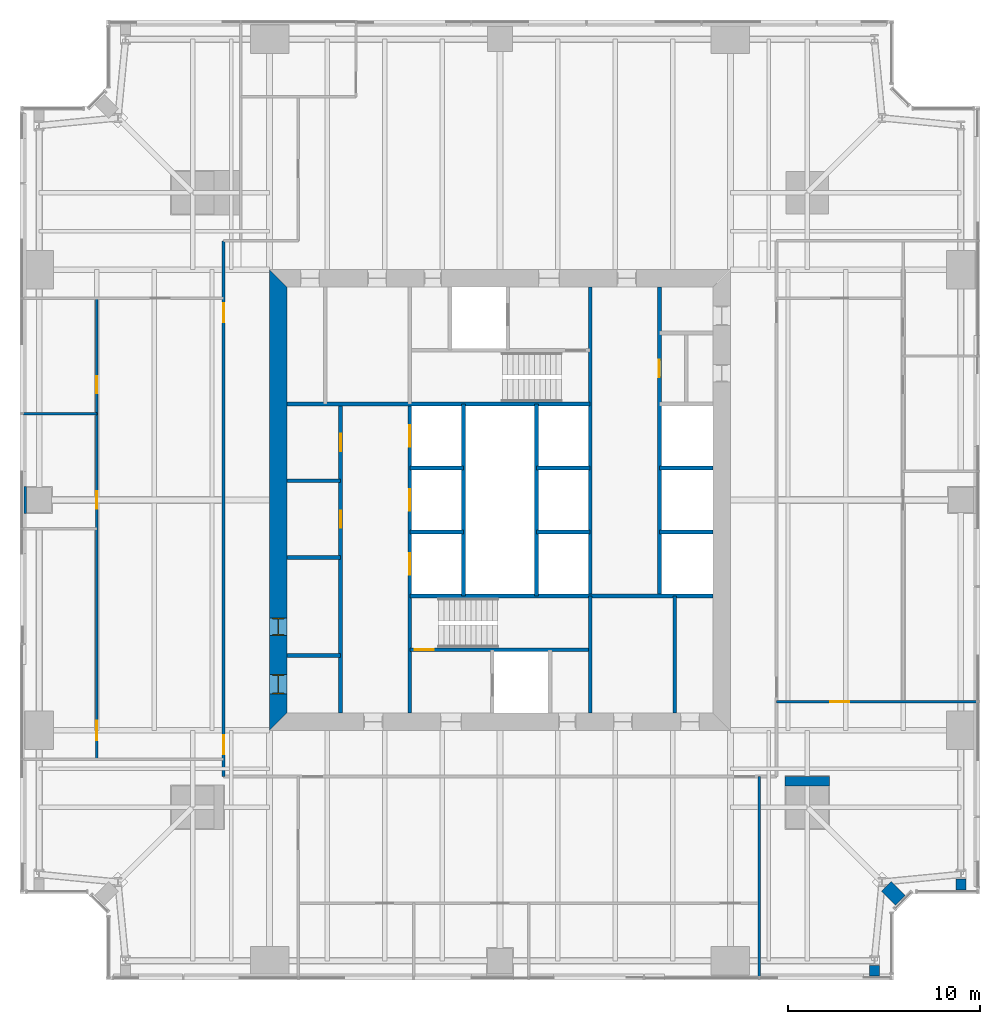
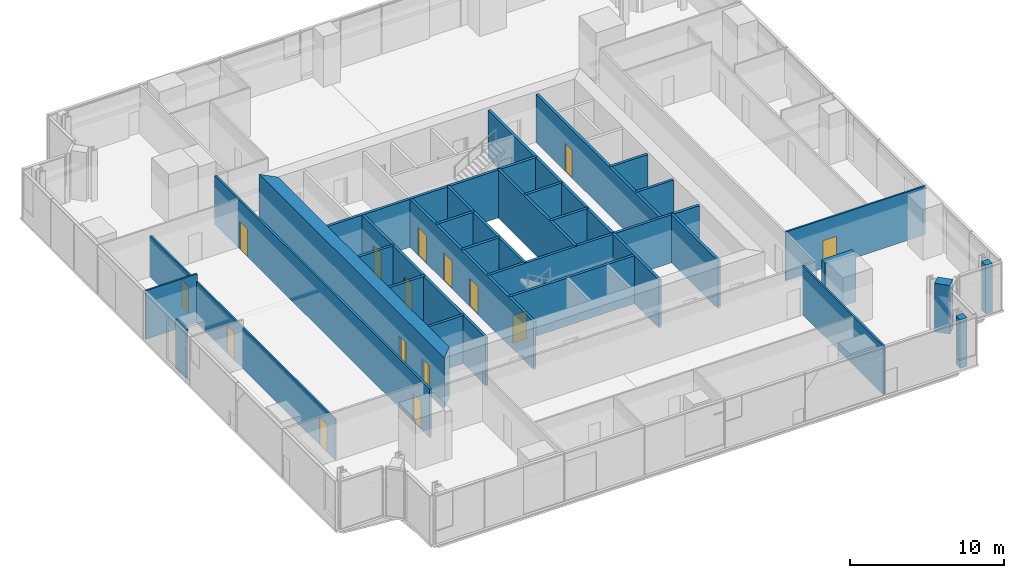
# One storey, part 10 of 14: 31 walls, 15 doors, 15 openings.
"""IFC4 building model written with IfcOpenShell, lengths in metres."""

from ifc_helpers import new_model, si_unit, direction, frame, frame_2d, origin, place, context, subcontext, project, spatial, polyline, rectangle, outline, extrude, material, layer, layer_set, type_object, element, fill, save


model = new_model("IFC4")

# Units and contexts
model_context = context("Model", 3, precision=1e-05, world=origin(), true_north=direction((0.0, 1.0)))
body_context = subcontext(model_context, "Body", "Model", "MODEL_VIEW")
ifc_project = project(units=[si_unit("LENGTHUNIT", "METRE"), si_unit("AREAUNIT", "SQUARE_METRE"), si_unit("VOLUMEUNIT", "CUBIC_METRE"), si_unit("PLANEANGLEUNIT", "RADIAN"), si_unit("MASSUNIT", "GRAM", prefix="KILO")], contexts=[model_context])

# Site, building, storey
site_placement = place(None, origin())
site = spatial("IfcSite", under=ifc_project, at=site_placement, CompositionType="ELEMENT")
building_placement = place(site_placement, origin())
building = spatial("IfcBuilding", under=site, at=building_placement, Name="Fenwick Lantern Interchange", CompositionType="ELEMENT")
storey_placement = place(building_placement, frame((0.0, 0.0, 150.39990234375)))
storey = spatial("IfcBuildingStorey", under=building, at=storey_placement, Name="L35", CompositionType="ELEMENT", Elevation=150.39990234375)

# Walls
ifc_material_1 = material(Name="Fire-rated gypsum board encasement on steel studs, 2 hour", Category="steel")
ifc_layer_1 = layer(ifc_material_1, 1.39990234375)
ifc_layer_set_1 = layer_set([ifc_layer_1], Name="COLUMN PIER 1400")
wall_type_1 = type_object("IfcWallType", Name="COLUMN PIER 1400", PredefinedType="PARTITIONING", material=ifc_layer_set_1)
wall_1_placement = place(storey_placement, frame((0.199951171875, 25.0, 0.0), z_axis=(0.0, 0.0, 1.0), x_axis=(1.0, 0.0, 0.0)))
element("IfcWall", 1, at=wall_1_placement, inside=storey, type_object=wall_type_1, Name="L35/W/PIER/CW3", PredefinedType="PARTITIONING", context=body_context, shape_type="SweptSolid", body=[
    extrude(rectangle(XDim=0.150146484375, YDim=1.39990234375, at=frame_2d((0.0751953125, 0.0))), origin(), (0.0, 0.0, 1.0), 3.85009765625),
])
ifc_layer_2 = layer(ifc_material_1, 2.300048828125)
ifc_layer_set_2 = layer_set([ifc_layer_2], Name="COLUMN PIER 2300")
wall_type_2 = type_object("IfcWallType", Name="COLUMN PIER 2300", PredefinedType="PARTITIONING", material=ifc_layer_set_2)
wall_2_placement = place(storey_placement, frame((41.0, 10.60009765625, 0.0), z_axis=(0.0, 0.0, 1.0), x_axis=(0.0, -1.0, 0.0)))
element("IfcWall", 2, at=wall_2_placement, inside=storey, type_object=wall_type_2, Name="L35/W/PIER/M2", PredefinedType="PARTITIONING", context=body_context, shape_type="SweptSolid", body=[
    extrude(rectangle(XDim=0.5, YDim=2.300048828125, at=frame_2d((0.25, 0.0))), origin(), (0.0, 0.0, 1.0), 3.85009765625),
])
ifc_layer_3 = layer(ifc_material_1, 0.52392578125)
ifc_layer_set_3 = layer_set([ifc_layer_3], Name="COLUMN PIER 524")
wall_type_3 = type_object("IfcWallType", Name="COLUMN PIER 524", PredefinedType="PARTITIONING", material=ifc_layer_set_3)
for number, where, z_axis, x_axis, name in (
    (3, (44.5, 0.199951171875, 0.0), (0.0, 0.0, 1.0), (0.0, 1.0, 0.0), "L35/W/PIER/CS5"),
    (4, (49.0, 4.699951171875, 0.0), (0.0, 0.0, 1.0), (0.0, 1.0, 0.0), "L35/W/PIER/CE1"),
):
    element("IfcWall", number, at=place(storey_placement, frame(where, z_axis=z_axis, x_axis=x_axis)), inside=storey, type_object=wall_type_3, Name=name, PredefinedType="PARTITIONING", context=body_context, shape_type="SweptSolid", body=[
        extrude(rectangle(XDim=0.5625, YDim=0.52392578125, at=frame_2d((0.28125, 0.0))), origin(), (0.0, 0.0, 1.0), 3.85009765625),
    ])
ifc_layer_4 = layer(ifc_material_1, 0.736083984375)
ifc_layer_set_4 = layer_set([ifc_layer_4], Name="COLUMN PIER 736")
wall_type_4 = type_object("IfcWallType", Name="COLUMN PIER 736", PredefinedType="PARTITIONING", material=ifc_layer_set_4)
wall_3_placement = place(storey_placement, frame((45.858642578125, 4.141357421875, 0.0), z_axis=(0.0, 0.0, 1.0), x_axis=(-0.707106781187, 0.707106781187, 0.0)))
element("IfcWall", 5, at=wall_3_placement, inside=storey, type_object=wall_type_4, Name="L35/W/PIER/CSR", PredefinedType="PARTITIONING", context=body_context, shape_type="SweptSolid", body=[
    extrude(rectangle(XDim=1.037841796875, YDim=0.736083984375, at=frame_2d((0.51904296875, 0.0))), origin(), (0.0, 0.0, 1.0), 3.85009765625),
])

# Wall, openings, doors
ifc_material_2 = material(Name="Concrete masonry ASTM C90 Grade N", Category="masonry")
ifc_layer_5 = layer(ifc_material_2, 0.199951171875)
ifc_layer_set_5 = layer_set([ifc_layer_5], Name="Concrete masonry ASTM C90 Grade N")
wall_type_5 = type_object("IfcWallType", Name="CORE PARTITION 200", PredefinedType="PARTITIONING", material=ifc_layer_set_5)
wall_4_placement = place(storey_placement, frame((16.699951171875, 13.89990234375, 0.0), z_axis=(0.0, 0.0, 1.0), x_axis=(0.0, 1.0, 0.0)))
wall_4 = element("IfcWall", 6, at=wall_4_placement, inside=storey, type_object=wall_type_5, Name="L35/W/CORES/a", PredefinedType="PARTITIONING", context=body_context, shape_type="SweptSolid", body=[
    extrude(rectangle(XDim=16.10009765625, YDim=0.199951171875, at=frame_2d((8.050048828125, 0.0))), origin(), (0.0, 0.0, 1.0), 3.800048828125),
])
opening_1_placement = place(wall_4_placement, frame((9.64990234375, 0.0, 0.0)))
opening_1 = element("IfcOpeningElement", 7, at=opening_1_placement, cuts=wall_4, Name="Opening L35-D009", PredefinedType="OPENING", context=body_context, shape_type="SweptSolid", body=[
    extrude(rectangle(XDim=0.89990234375, YDim=2.199951171875, at=frame_2d((0.449951171875, 1.10009765625))), frame((0.0, 0.10986328125, 0.0), z_axis=(0.0, -1.0, 0.0), x_axis=(1.0, 0.0, 0.0)), (0.0, 0.0, 1.0), 0.219970703125),
])
opening_2_placement = place(wall_4_placement, frame((13.64990234375, 0.0, 0.0)))
opening_2 = element("IfcOpeningElement", 8, at=opening_2_placement, cuts=wall_4, Name="Opening L35-D010", PredefinedType="OPENING", context=body_context, shape_type="SweptSolid", body=[
    extrude(rectangle(XDim=0.89990234375, YDim=2.199951171875, at=frame_2d((0.449951171875, 1.10009765625))), frame((0.0, 0.10986328125, 0.0), z_axis=(0.0, -1.0, 0.0), x_axis=(1.0, 0.0, 0.0)), (0.0, 0.0, 1.0), 0.219970703125),
])
ifc_material_3 = material(Name="Steel door and frame", Category="steel")
door_type_1 = type_object("IfcDoorType", Name="SERVICE DOOR 900 X 2200", OperationType="SINGLE_SWING_LEFT", PredefinedType="DOOR", material=ifc_material_3)
door_1_placement = place(opening_1_placement, origin())
door_1 = element("IfcDoor", 9, at=door_1_placement, inside=storey, type_object=door_type_1, Name="Service door", OperationType="SINGLE_SWING_LEFT", OverallHeight=2.199951171875, OverallWidth=0.89990234375, PredefinedType="DOOR", context=body_context, shape_type="SweptSolid", body=[
    extrude(rectangle(XDim=0.89990234375, YDim=2.199951171875, at=frame_2d((0.449951171875, 1.10009765625))), frame((0.0, 0.02490234375, 0.0), z_axis=(0.0, -1.0, 0.0), x_axis=(1.0, 0.0, 0.0)), (0.0, 0.0, 1.0), 0.050048828125),
])
fill(opening_1, door_1)
door_2_placement = place(opening_2_placement, origin())
door_2 = element("IfcDoor", 10, at=door_2_placement, inside=storey, type_object=door_type_1, Name="Service door", OperationType="SINGLE_SWING_LEFT", OverallHeight=2.199951171875, OverallWidth=0.89990234375, PredefinedType="DOOR", context=body_context, shape_type="SweptSolid", body=[
    extrude(rectangle(XDim=0.89990234375, YDim=2.199951171875, at=frame_2d((0.449951171875, 1.10009765625))), frame((0.0, 0.02490234375, 0.0), z_axis=(0.0, -1.0, 0.0), x_axis=(1.0, 0.0, 0.0)), (0.0, 0.0, 1.0), 0.050048828125),
])
fill(opening_2, door_2)

# Walls
for number, where, z_axis, x_axis, name in (
    (11, (20.300048828125, 23.333251953125, 0.0), (0.0, 0.0, 1.0), (1.0, 0.0, 0.0), "L35/W/CORES/e1"),
    (12, (20.300048828125, 26.666748046875, 0.0), (0.0, 0.0, 1.0), (1.0, 0.0, 0.0), "L35/W/CORES/e2"),
):
    element("IfcWall", number, at=place(storey_placement, frame(where, z_axis=z_axis, x_axis=x_axis)), inside=storey, type_object=wall_type_5, Name=name, PredefinedType="PARTITIONING", context=body_context, shape_type="SweptSolid", body=[
        extrude(rectangle(XDim=2.800048828125, YDim=0.199951171875, at=frame_2d((1.39990234375, 0.0))), origin(), (0.0, 0.0, 1.0), 3.800048828125),
    ])
wall_5_placement = place(storey_placement, frame((23.10009765625, 20.0, 0.0), z_axis=(0.0, 0.0, 1.0), x_axis=(0.0, 1.0, 0.0)))
element("IfcWall", 13, at=wall_5_placement, inside=storey, type_object=wall_type_5, Name="L35/W/CORES/e3", PredefinedType="PARTITIONING", context=body_context, shape_type="SweptSolid", body=[
    extrude(rectangle(XDim=10.0, YDim=0.199951171875, at=frame_2d((5.0, 0.0))), origin(), (0.0, 0.0, 1.0), 3.800048828125),
])
wall_6_placement = place(storey_placement, frame((34.10009765625, 13.89990234375, 0.0), z_axis=(0.0, 0.0, 1.0), x_axis=(0.0, 1.0, 0.0)))
element("IfcWall", 14, at=wall_6_placement, inside=storey, type_object=wall_type_5, Name="L35/W/CORES/i2", PredefinedType="PARTITIONING", context=body_context, shape_type="SweptSolid", body=[
    extrude(rectangle(XDim=6.10009765625, YDim=0.199951171875, at=frame_2d((3.050048828125, 0.0))), origin(), (0.0, 0.0, 1.0), 3.800048828125),
])
for number, where, z_axis, x_axis, name in (
    (15, (13.89990234375, 16.89990234375, 0.0), (0.0, 0.0, 1.0), (1.0, 0.0, 0.0), "L35/W/CORES/p1"),
    (16, (13.89990234375, 22.0, 0.0), (0.0, 0.0, 1.0), (1.0, 0.0, 0.0), "L35/W/CORES/p2"),
    (17, (13.89990234375, 26.0, 0.0), (0.0, 0.0, 1.0), (1.0, 0.0, 0.0), "L35/W/CORES/p3"),
):
    element("IfcWall", number, at=place(storey_placement, frame(where, z_axis=z_axis, x_axis=x_axis)), inside=storey, type_object=wall_type_5, Name=name, PredefinedType="PARTITIONING", context=body_context, shape_type="SweptSolid", body=[
        extrude(rectangle(XDim=2.800048828125, YDim=0.199951171875, at=frame_2d((1.39990234375, 0.0))), origin(), (0.0, 0.0, 1.0), 3.800048828125),
    ])

# Wall, opening, door
wall_7_placement = place(storey_placement, frame((33.300048828125, 36.10009765625, 0.0), z_axis=(0.0, 0.0, 1.0), x_axis=(0.0, -1.0, 0.0)))
wall_7 = element("IfcWall", 18, at=wall_7_placement, inside=storey, type_object=wall_type_5, Name="L35/W/COREN/a", PredefinedType="PARTITIONING", context=body_context, shape_type="SweptSolid", body=[
    extrude(rectangle(XDim=16.10009765625, YDim=0.199951171875, at=frame_2d((8.050048828125, 0.0))), origin(), (0.0, 0.0, 1.0), 3.800048828125),
])
opening_3_placement = place(wall_7_placement, frame((3.800048828125, 0.0, 0.0)))
opening_3 = element("IfcOpeningElement", 19, at=opening_3_placement, cuts=wall_7, Name="Opening L35-D018", PredefinedType="OPENING", context=body_context, shape_type="SweptSolid", body=[
    extrude(rectangle(XDim=0.89990234375, YDim=2.199951171875, at=frame_2d((0.449951171875, 1.10009765625))), frame((0.0, 0.10986328125, 0.0), z_axis=(0.0, -1.0, 0.0), x_axis=(1.0, 0.0, 0.0)), (0.0, 0.0, 1.0), 0.219970703125),
])
door_3_placement = place(opening_3_placement, origin())
door_3 = element("IfcDoor", 20, at=door_3_placement, inside=storey, type_object=door_type_1, Name="Service door", OperationType="SINGLE_SWING_LEFT", OverallHeight=2.199951171875, OverallWidth=0.89990234375, PredefinedType="DOOR", context=body_context, shape_type="SweptSolid", body=[
    extrude(rectangle(XDim=0.89990234375, YDim=2.199951171875, at=frame_2d((0.449951171875, 1.10009765625))), frame((0.0, 0.02490234375, 0.0), z_axis=(0.0, -1.0, 0.0), x_axis=(1.0, 0.0, 0.0)), (0.0, 0.0, 1.0), 0.050048828125),
])
fill(opening_3, door_3)

# Walls
for number, where, z_axis, x_axis, name in (
    (21, (36.10009765625, 26.666748046875, 0.0), (0.0, 0.0, 1.0), (-1.0, 0.0, 0.0), "L35/W/COREN/d1"),
    (22, (36.10009765625, 23.333251953125, 0.0), (0.0, 0.0, 1.0), (-1.0, 0.0, 0.0), "L35/W/COREN/d2"),
    (23, (29.699951171875, 26.666748046875, 0.0), (0.0, 0.0, 1.0), (-1.0, 0.0, 0.0), "L35/W/COREN/e1"),
    (24, (29.699951171875, 23.333251953125, 0.0), (0.0, 0.0, 1.0), (-1.0, 0.0, 0.0), "L35/W/COREN/e2"),
):
    element("IfcWall", number, at=place(storey_placement, frame(where, z_axis=z_axis, x_axis=x_axis)), inside=storey, type_object=wall_type_5, Name=name, PredefinedType="PARTITIONING", context=body_context, shape_type="SweptSolid", body=[
        extrude(rectangle(XDim=2.800048828125, YDim=0.199951171875, at=frame_2d((1.39990234375, 0.0))), origin(), (0.0, 0.0, 1.0), 3.800048828125),
    ])
wall_8_placement = place(storey_placement, frame((26.89990234375, 30.0, 0.0), z_axis=(0.0, 0.0, 1.0), x_axis=(0.0, -1.0, 0.0)))
element("IfcWall", 25, at=wall_8_placement, inside=storey, type_object=wall_type_5, Name="L35/W/COREN/e3", PredefinedType="PARTITIONING", context=body_context, shape_type="SweptSolid", body=[
    extrude(rectangle(XDim=10.0, YDim=0.199951171875, at=frame_2d((5.0, 0.0))), origin(), (0.0, 0.0, 1.0), 3.800048828125),
])

# Wall, openings, doors
ifc_material_4 = material(Name="Concrete f'c 70 MPa", Category="concrete")
ifc_layer_6 = layer(ifc_material_4, 0.89990234375)
ifc_layer_set_6 = layer_set([ifc_layer_6], Name="CORE WALL 900")
wall_type_6 = type_object("IfcWallType", Name="CORE WALL 900", PredefinedType="SHEAR", material=ifc_layer_set_6)
wall_9_placement = place(storey_placement, frame((13.449951171875, 36.10009765625, 0.0), z_axis=(0.0, 0.0, 1.0), x_axis=(0.0, -1.0, 0.0)))
wall_9 = element("IfcWall", 26, at=wall_9_placement, inside=storey, type_object=wall_type_6, Name="L35/CORE/W", PredefinedType="SHEAR", context=body_context, shape_type="SweptSolid", body=[
    extrude(outline(polyline([(-0.89990234375, -0.449951171875), (23.10009765625, -0.449951171875), (22.199951171875, 0.449951171875), (0.0, 0.449951171875), (-0.89990234375, -0.449951171875)])), origin(), (0.0, 0.0, 1.0), 4.0),
])
opening_4_placement = place(wall_9_placement, frame((20.199951171875, 0.0, 0.0)))
opening_4 = element("IfcOpeningElement", 27, at=opening_4_placement, cuts=wall_9, Name="Opening L35-D007", PredefinedType="OPENING", context=body_context, shape_type="SweptSolid", body=[
    extrude(rectangle(XDim=1.0, YDim=2.199951171875, at=frame_2d((0.5, 1.10009765625))), frame((0.0, 0.4599609375, 0.0), z_axis=(0.0, -1.0, 0.0), x_axis=(1.0, 0.0, 0.0)), (0.0, 0.0, 1.0), 0.919921875),
])
opening_5_placement = place(wall_9_placement, frame((17.25, 0.0, 0.0)))
opening_5 = element("IfcOpeningElement", 28, at=opening_5_placement, cuts=wall_9, Name="Opening L35-D008", PredefinedType="OPENING", context=body_context, shape_type="SweptSolid", body=[
    extrude(rectangle(XDim=0.89990234375, YDim=2.199951171875, at=frame_2d((0.449951171875, 1.10009765625))), frame((0.0, 0.4599609375, 0.0), z_axis=(0.0, -1.0, 0.0), x_axis=(1.0, 0.0, 0.0)), (0.0, 0.0, 1.0), 0.919921875),
])
door_4_placement = place(opening_5_placement, origin())
door_4 = element("IfcDoor", 29, at=door_4_placement, inside=storey, type_object=door_type_1, Name="Service door", OperationType="SINGLE_SWING_RIGHT", OverallHeight=2.199951171875, OverallWidth=0.89990234375, PredefinedType="DOOR", context=body_context, shape_type="SweptSolid", body=[
    extrude(rectangle(XDim=0.89990234375, YDim=2.199951171875, at=frame_2d((0.449951171875, 1.10009765625))), frame((0.0, 0.02490234375, 0.0), z_axis=(0.0, -1.0, 0.0), x_axis=(1.0, 0.0, 0.0)), (0.0, 0.0, 1.0), 0.050048828125),
    extrude(outline(polyline([(0.0, 0.0), (0.0400390625, 0.0), (0.0400390625, 2.159912109375), (0.85986328125, 2.159912109375), (0.85986328125, 0.0), (0.89990234375, 0.0), (0.89990234375, 2.199951171875), (0.0, 2.199951171875), (0.0, 0.0)])), frame((0.0, 0.300048828125, 0.0), z_axis=(0.0, -1.0, 0.0), x_axis=(1.0, 0.0, 0.0)), (0.0, 0.0, 1.0), 0.60009765625),
])
fill(opening_5, door_4)
ifc_material_5 = material(Name="Hardwood door and steel frame", Category="steel")
door_type_2 = type_object("IfcDoorType", Name="WC DOOR 1000 X 2200", OperationType="SINGLE_SWING_LEFT", PredefinedType="DOOR", material=ifc_material_5)
door_5_placement = place(opening_4_placement, origin())
door_5 = element("IfcDoor", 30, at=door_5_placement, inside=storey, type_object=door_type_2, Name="Wc door", OperationType="SINGLE_SWING_LEFT", OverallHeight=2.199951171875, OverallWidth=1.0, PredefinedType="DOOR", context=body_context, shape_type="SweptSolid", body=[
    extrude(rectangle(XDim=1.0, YDim=2.199951171875, at=frame_2d((0.5, 1.10009765625))), frame((0.0, 0.02490234375, 0.0), z_axis=(0.0, -1.0, 0.0), x_axis=(1.0, 0.0, 0.0)), (0.0, 0.0, 1.0), 0.050048828125),
    extrude(outline(polyline([(0.0, 0.0), (0.0400390625, 0.0), (0.0400390625, 2.159912109375), (0.9599609375, 2.159912109375), (0.9599609375, 0.0), (1.0, 0.0), (1.0, 2.199951171875), (0.0, 2.199951171875), (0.0, 0.0)])), frame((0.0, 0.300048828125, 0.0), z_axis=(0.0, -1.0, 0.0), x_axis=(1.0, 0.0, 0.0)), (0.0, 0.0, 1.0), 0.60009765625),
])
fill(opening_4, door_5)

ifc_material_6 = material(Name="Gypsum board on steel studs, 1 hour", Category="steel")
ifc_layer_7 = layer(ifc_material_6, 0.14990234375)
ifc_layer_set_7 = layer_set([ifc_layer_7], Name="CORRIDOR WALL 150")
wall_type_7 = type_object("IfcWallType", Name="CORRIDOR WALL 150", PredefinedType="PARTITIONING", material=ifc_layer_set_7)
wall_10_placement = place(storey_placement, frame((10.60009765625, 38.5, 0.0), z_axis=(0.0, 0.0, 1.0), x_axis=(0.0, -1.0, 0.0)))
wall_10 = element("IfcWall", 31, at=wall_10_placement, inside=storey, type_object=wall_type_7, Name="L35/W/OFF/W/CW2", PredefinedType="PARTITIONING", context=body_context, shape_type="SweptSolid", body=[
    extrude(rectangle(XDim=27.89990234375, YDim=0.14990234375, at=frame_2d((13.949951171875, 0.0))), origin(), (0.0, 0.0, 1.0), 3.85009765625),
])
opening_6_placement = place(wall_10_placement, frame((3.25, 0.0, 0.0)))
opening_6 = element("IfcOpeningElement", 32, at=opening_6_placement, cuts=wall_10, Name="Opening L35-D035", PredefinedType="OPENING", context=body_context, shape_type="SweptSolid", body=[
    extrude(rectangle(XDim=1.0, YDim=2.199951171875, at=frame_2d((0.5, 1.10009765625))), frame((0.0, 0.0849609375, 0.0), z_axis=(0.0, -1.0, 0.0), x_axis=(1.0, 0.0, 0.0)), (0.0, 0.0, 1.0), 0.169921875),
])
opening_7_placement = place(wall_10_placement, frame((25.75, 0.0, 0.0)))
opening_7 = element("IfcOpeningElement", 33, at=opening_7_placement, cuts=wall_10, Name="Opening L35-D036", PredefinedType="OPENING", context=body_context, shape_type="SweptSolid", body=[
    extrude(rectangle(XDim=1.0, YDim=2.199951171875, at=frame_2d((0.5, 1.10009765625))), frame((0.0, 0.0849609375, 0.0), z_axis=(0.0, -1.0, 0.0), x_axis=(1.0, 0.0, 0.0)), (0.0, 0.0, 1.0), 0.169921875),
])
door_type_3 = type_object("IfcDoorType", Name="SUITE ENTRANCE DOOR 1000 X 2200", OperationType="SINGLE_SWING_LEFT", PredefinedType="DOOR", material=ifc_material_3)
door_6_placement = place(opening_6_placement, origin())
door_6 = element("IfcDoor", 34, at=door_6_placement, inside=storey, type_object=door_type_3, Name="Suite entrance door", OperationType="SINGLE_SWING_LEFT", OverallHeight=2.199951171875, OverallWidth=1.0, PredefinedType="DOOR", context=body_context, shape_type="SweptSolid", body=[
    extrude(rectangle(XDim=1.0, YDim=2.199951171875, at=frame_2d((0.5, 1.10009765625))), frame((0.0, 0.02490234375, 0.0), z_axis=(0.0, -1.0, 0.0), x_axis=(1.0, 0.0, 0.0)), (0.0, 0.0, 1.0), 0.050048828125),
])
fill(opening_6, door_6)
door_7_placement = place(opening_7_placement, origin())
door_7 = element("IfcDoor", 35, at=door_7_placement, inside=storey, type_object=door_type_3, Name="Suite entrance door", OperationType="SINGLE_SWING_RIGHT", OverallHeight=2.199951171875, OverallWidth=1.0, PredefinedType="DOOR", context=body_context, shape_type="SweptSolid", body=[
    extrude(rectangle(XDim=1.0, YDim=2.199951171875, at=frame_2d((0.5, 1.10009765625))), frame((0.0, 0.02490234375, 0.0), z_axis=(0.0, -1.0, 0.0), x_axis=(1.0, 0.0, 0.0)), (0.0, 0.0, 1.0), 0.050048828125),
])
fill(opening_7, door_7)

# Wall, opening, door
ifc_material_7 = material(Name="Gypsum board on steel studs, acoustic", Category="steel")
ifc_layer_8 = layer(ifc_material_7, 0.125)
ifc_layer_set_8 = layer_set([ifc_layer_8], Name="OFFICE PARTITION 125")
wall_type_8 = type_object("IfcWallType", Name="OFFICE PARTITION 125", PredefinedType="PARTITIONING", material=ifc_layer_set_8)
wall_11_placement = place(storey_placement, frame((49.85009765625, 14.5, 0.0), z_axis=(0.0, 0.0, 1.0), x_axis=(-1.0, 0.0, 0.0)))
wall_11 = element("IfcWall", 36, at=wall_11_placement, inside=storey, type_object=wall_type_8, Name="L35/W/OFF/E/X145-1", PredefinedType="PARTITIONING", context=body_context, shape_type="SweptSolid", body=[
    extrude(rectangle(XDim=10.4501953125, YDim=0.125, at=frame_2d((5.22509765625, 0.0))), origin(), (0.0, 0.0, 1.0), 3.85009765625),
])
opening_8_placement = place(wall_11_placement, frame((6.64990234375, 0.0, 0.0)))
opening_8 = element("IfcOpeningElement", 37, at=opening_8_placement, cuts=wall_11, Name="Opening L35-D028", PredefinedType="OPENING", context=body_context, shape_type="SweptSolid", body=[
    extrude(rectangle(XDim=1.0, YDim=2.199951171875, at=frame_2d((0.5, 1.10009765625))), frame((0.0, 0.072509765625, 0.0), z_axis=(0.0, -1.0, 0.0), x_axis=(1.0, 0.0, 0.0)), (0.0, 0.0, 1.0), 0.14501953125),
])
door_type_4 = type_object("IfcDoorType", Name="MEETING ROOM DOOR 1000 X 2200", OperationType="SINGLE_SWING_LEFT", PredefinedType="DOOR", material=ifc_material_5)
door_8_placement = place(opening_8_placement, origin())
door_8 = element("IfcDoor", 38, at=door_8_placement, inside=storey, type_object=door_type_4, Name="Meeting room door", OperationType="SINGLE_SWING_RIGHT", OverallHeight=2.199951171875, OverallWidth=1.0, PredefinedType="DOOR", context=body_context, shape_type="SweptSolid", body=[
    extrude(rectangle(XDim=1.0, YDim=2.199951171875, at=frame_2d((0.5, 1.10009765625))), frame((0.0, 0.02490234375, 0.0), z_axis=(0.0, -1.0, 0.0), x_axis=(1.0, 0.0, 0.0)), (0.0, 0.0, 1.0), 0.050048828125),
])
fill(opening_8, door_8)

# Wall
wall_12_placement = place(storey_placement, frame((0.14990234375, 29.5, 0.0), z_axis=(0.0, 0.0, 1.0), x_axis=(1.0, 0.0, 0.0)))
element("IfcWall", 39, at=wall_12_placement, inside=storey, type_object=wall_type_8, Name="L35/W/OFF/W/X205-1", PredefinedType="PARTITIONING", context=body_context, shape_type="SweptSolid", body=[
    extrude(rectangle(XDim=3.85009765625, YDim=0.125, at=frame_2d((1.925048828125, 0.0))), origin(), (0.0, 0.0, 1.0), 3.85009765625),
])

# Wall, openings, doors
wall_13_placement = place(storey_placement, frame((4.0, 35.5, 0.0), z_axis=(0.0, 0.0, 1.0), x_axis=(0.0, -1.0, 0.0)))
wall_13 = element("IfcWall", 40, at=wall_13_placement, inside=storey, type_object=wall_type_8, Name="L35/W/OFF/W/Y40-1", PredefinedType="PARTITIONING", context=body_context, shape_type="SweptSolid", body=[
    extrude(rectangle(XDim=24.0, YDim=0.125, at=frame_2d((12.0, 0.0))), origin(), (0.0, 0.0, 1.0), 3.238037109375),
])
opening_9_placement = place(wall_13_placement, frame((4.050048828125, 0.0, 0.0)))
opening_9 = element("IfcOpeningElement", 41, at=opening_9_placement, cuts=wall_13, Name="Opening L35-D038", PredefinedType="OPENING", context=body_context, shape_type="SweptSolid", body=[
    extrude(rectangle(XDim=0.89990234375, YDim=2.199951171875, at=frame_2d((0.449951171875, 1.10009765625))), frame((0.0, 0.072509765625, 0.0), z_axis=(0.0, -1.0, 0.0), x_axis=(1.0, 0.0, 0.0)), (0.0, 0.0, 1.0), 0.14501953125),
])
opening_10_placement = place(wall_13_placement, frame((10.050048828125, 0.0, 0.0)))
opening_10 = element("IfcOpeningElement", 42, at=opening_10_placement, cuts=wall_13, Name="Opening L35-D039", PredefinedType="OPENING", context=body_context, shape_type="SweptSolid", body=[
    extrude(rectangle(XDim=0.89990234375, YDim=2.199951171875, at=frame_2d((0.449951171875, 1.10009765625))), frame((0.0, 0.072509765625, 0.0), z_axis=(0.0, -1.0, 0.0), x_axis=(1.0, 0.0, 0.0)), (0.0, 0.0, 1.0), 0.14501953125),
])
opening_11_placement = place(wall_13_placement, frame((22.0, 0.0, 0.0)))
opening_11 = element("IfcOpeningElement", 43, at=opening_11_placement, cuts=wall_13, Name="Opening L35-D040", PredefinedType="OPENING", context=body_context, shape_type="SweptSolid", body=[
    extrude(rectangle(XDim=1.0, YDim=2.199951171875, at=frame_2d((0.5, 1.10009765625))), frame((0.0, 0.072509765625, 0.0), z_axis=(0.0, -1.0, 0.0), x_axis=(1.0, 0.0, 0.0)), (0.0, 0.0, 1.0), 0.14501953125),
])
door_9_placement = place(opening_11_placement, frame((1.0, 0.0, 0.0), z_axis=(0.0, 0.0, 1.0), x_axis=(-1.0, 0.0, 0.0)))
door_9 = element("IfcDoor", 44, at=door_9_placement, inside=storey, type_object=door_type_4, Name="Meeting room door", OperationType="SINGLE_SWING_LEFT", OverallHeight=2.199951171875, OverallWidth=1.0, PredefinedType="DOOR", context=body_context, shape_type="SweptSolid", body=[
    extrude(rectangle(XDim=1.0, YDim=2.199951171875, at=frame_2d((0.5, 1.10009765625))), frame((0.0, 0.02490234375, 0.0), z_axis=(0.0, -1.0, 0.0), x_axis=(1.0, 0.0, 0.0)), (0.0, 0.0, 1.0), 0.050048828125),
])
fill(opening_11, door_9)
door_type_5 = type_object("IfcDoorType", Name="OFFICE DOOR 900 X 2200", OperationType="SINGLE_SWING_LEFT", PredefinedType="DOOR", material=ifc_material_5)
door_10_placement = place(opening_9_placement, frame((0.89990234375, 0.0, 0.0), z_axis=(0.0, 0.0, 1.0), x_axis=(-1.0, 0.0, 0.0)))
door_10 = element("IfcDoor", 45, at=door_10_placement, inside=storey, type_object=door_type_5, Name="Office door", OperationType="SINGLE_SWING_LEFT", OverallHeight=2.199951171875, OverallWidth=0.89990234375, PredefinedType="DOOR", context=body_context, shape_type="SweptSolid", body=[
    extrude(rectangle(XDim=0.89990234375, YDim=2.199951171875, at=frame_2d((0.449951171875, 1.10009765625))), frame((0.0, 0.02490234375, 0.0), z_axis=(0.0, -1.0, 0.0), x_axis=(1.0, 0.0, 0.0)), (0.0, 0.0, 1.0), 0.050048828125),
])
fill(opening_9, door_10)
door_11_placement = place(opening_10_placement, frame((0.89990234375, 0.0, 0.0), z_axis=(0.0, 0.0, 1.0), x_axis=(-1.0, 0.0, 0.0)))
door_11 = element("IfcDoor", 46, at=door_11_placement, inside=storey, type_object=door_type_5, Name="Office door", OperationType="SINGLE_SWING_LEFT", OverallHeight=2.199951171875, OverallWidth=0.89990234375, PredefinedType="DOOR", context=body_context, shape_type="SweptSolid", body=[
    extrude(rectangle(XDim=0.89990234375, YDim=2.199951171875, at=frame_2d((0.449951171875, 1.10009765625))), frame((0.0, 0.02490234375, 0.0), z_axis=(0.0, -1.0, 0.0), x_axis=(1.0, 0.0, 0.0)), (0.0, 0.0, 1.0), 0.050048828125),
])
fill(opening_10, door_11)

ifc_material_8 = material(Name="Concrete f'c 45 MPa", Category="concrete")
ifc_layer_9 = layer(ifc_material_8, 0.199951171875)
ifc_layer_set_9 = layer_set([ifc_layer_9], Name="STAIR CORE WALL 200")
wall_type_9 = type_object("IfcWallType", Name="STAIR CORE WALL 200", PredefinedType="SOLIDWALL", material=ifc_layer_set_9)
wall_14_placement = place(storey_placement, frame((20.300048828125, 13.89990234375, 0.0), z_axis=(0.0, 0.0, 1.0), x_axis=(0.0, 1.0, 0.0)))
wall_14 = element("IfcWall", 47, at=wall_14_placement, inside=storey, type_object=wall_type_9, Name="L35/W/CORES/b", PredefinedType="SOLIDWALL", context=body_context, shape_type="SweptSolid", body=[
    extrude(rectangle(XDim=16.10009765625, YDim=0.199951171875, at=frame_2d((8.050048828125, 0.0))), origin(), (0.0, 0.0, 1.0), 3.800048828125),
])
opening_12_placement = place(wall_14_placement, frame((7.216552734375, 0.0, 0.0)))
opening_12 = element("IfcOpeningElement", 48, at=opening_12_placement, cuts=wall_14, Name="Opening LD-W2-1", PredefinedType="OPENING", context=body_context, shape_type="SweptSolid", body=[
    extrude(rectangle(XDim=1.10009765625, YDim=2.199951171875, at=frame_2d((0.550048828125, 1.10009765625))), frame((0.0, 0.10986328125, 0.0), z_axis=(0.0, -1.0, 0.0), x_axis=(1.0, 0.0, 0.0)), (0.0, 0.0, 1.0), 0.219970703125),
])
opening_13_placement = place(wall_14_placement, frame((10.550048828125, 0.0, 0.0)))
opening_13 = element("IfcOpeningElement", 49, at=opening_13_placement, cuts=wall_14, Name="Opening LD-W2-2", PredefinedType="OPENING", context=body_context, shape_type="SweptSolid", body=[
    extrude(rectangle(XDim=1.10009765625, YDim=2.199951171875, at=frame_2d((0.550048828125, 1.10009765625))), frame((0.0, 0.10986328125, 0.0), z_axis=(0.0, -1.0, 0.0), x_axis=(1.0, 0.0, 0.0)), (0.0, 0.0, 1.0), 0.219970703125),
])
opening_14_placement = place(wall_14_placement, frame((13.88330078125, 0.0, 0.0)))
opening_14 = element("IfcOpeningElement", 50, at=opening_14_placement, cuts=wall_14, Name="Opening LD-W2-3", PredefinedType="OPENING", context=body_context, shape_type="SweptSolid", body=[
    extrude(rectangle(XDim=1.10009765625, YDim=2.199951171875, at=frame_2d((0.550048828125, 1.10009765625))), frame((0.0, 0.10986328125, 0.0), z_axis=(0.0, -1.0, 0.0), x_axis=(1.0, 0.0, 0.0)), (0.0, 0.0, 1.0), 0.219970703125),
])
door_type_6 = type_object("IfcDoorType", Name="LIFT LANDING DOOR 1100 X 2200", OperationType="DOUBLE_DOOR_SLIDING", PredefinedType="DOOR", material=ifc_material_3)
door_12_placement = place(opening_12_placement, origin())
door_12 = element("IfcDoor", 51, at=door_12_placement, inside=storey, type_object=door_type_6, Name="Lift landing door W2-1", OperationType="DOUBLE_DOOR_SLIDING", OverallHeight=2.199951171875, OverallWidth=1.10009765625, PredefinedType="DOOR", context=body_context, shape_type="SweptSolid", body=[
    extrude(rectangle(XDim=1.10009765625, YDim=2.199951171875, at=frame_2d((0.550048828125, 1.10009765625))), frame((0.0, 0.02490234375, 0.0), z_axis=(0.0, -1.0, 0.0), x_axis=(1.0, 0.0, 0.0)), (0.0, 0.0, 1.0), 0.050048828125),
])
fill(opening_12, door_12)
door_13_placement = place(opening_13_placement, origin())
door_13 = element("IfcDoor", 52, at=door_13_placement, inside=storey, type_object=door_type_6, Name="Lift landing door W2-2", OperationType="DOUBLE_DOOR_SLIDING", OverallHeight=2.199951171875, OverallWidth=1.10009765625, PredefinedType="DOOR", context=body_context, shape_type="SweptSolid", body=[
    extrude(rectangle(XDim=1.10009765625, YDim=2.199951171875, at=frame_2d((0.550048828125, 1.10009765625))), frame((0.0, 0.02490234375, 0.0), z_axis=(0.0, -1.0, 0.0), x_axis=(1.0, 0.0, 0.0)), (0.0, 0.0, 1.0), 0.050048828125),
])
fill(opening_13, door_13)
door_14_placement = place(opening_14_placement, origin())
door_14 = element("IfcDoor", 53, at=door_14_placement, inside=storey, type_object=door_type_6, Name="Lift landing door W2-3", OperationType="DOUBLE_DOOR_SLIDING", OverallHeight=2.199951171875, OverallWidth=1.10009765625, PredefinedType="DOOR", context=body_context, shape_type="SweptSolid", body=[
    extrude(rectangle(XDim=1.10009765625, YDim=2.199951171875, at=frame_2d((0.550048828125, 1.10009765625))), frame((0.0, 0.02490234375, 0.0), z_axis=(0.0, -1.0, 0.0), x_axis=(1.0, 0.0, 0.0)), (0.0, 0.0, 1.0), 0.050048828125),
])
fill(opening_14, door_14)

# Wall, opening, door
wall_15_placement = place(storey_placement, frame((20.300048828125, 17.199951171875, 0.0), z_axis=(0.0, 0.0, 1.0), x_axis=(1.0, 0.0, 0.0)))
wall_15 = element("IfcWall", 54, at=wall_15_placement, inside=storey, type_object=wall_type_9, Name="L35/W/CORES/g1", PredefinedType="SOLIDWALL", context=body_context, shape_type="SweptSolid", body=[
    extrude(rectangle(XDim=9.39990234375, YDim=0.199951171875, at=frame_2d((4.699951171875, 0.0))), origin(), (0.0, 0.0, 1.0), 3.800048828125),
])
opening_15_placement = place(wall_15_placement, frame((0.25, 0.0, 0.0)))
opening_15 = element("IfcOpeningElement", 55, at=opening_15_placement, cuts=wall_15, Name="Opening L35-D003", PredefinedType="OPENING", context=body_context, shape_type="SweptSolid", body=[
    extrude(rectangle(XDim=1.0, YDim=2.199951171875, at=frame_2d((0.5, 1.10009765625))), frame((0.0, 0.10986328125, 0.0), z_axis=(0.0, -1.0, 0.0), x_axis=(1.0, 0.0, 0.0)), (0.0, 0.0, 1.0), 0.219970703125),
])
door_type_7 = type_object("IfcDoorType", Name="STAIR DOOR 1000 X 2200", OperationType="SINGLE_SWING_LEFT", PredefinedType="DOOR", material=ifc_material_3)
door_15_placement = place(opening_15_placement, origin())
door_15 = element("IfcDoor", 56, at=door_15_placement, inside=storey, type_object=door_type_7, Name="Stair door", OperationType="SINGLE_SWING_LEFT", OverallHeight=2.199951171875, OverallWidth=1.0, PredefinedType="DOOR", context=body_context, shape_type="SweptSolid", body=[
    extrude(rectangle(XDim=1.0, YDim=2.199951171875, at=frame_2d((0.5, 1.10009765625))), frame((0.0, 0.02490234375, 0.0), z_axis=(0.0, -1.0, 0.0), x_axis=(1.0, 0.0, 0.0)), (0.0, 0.0, 1.0), 0.050048828125),
])
fill(opening_15, door_15)

# Walls
wall_16_placement = place(storey_placement, frame((20.300048828125, 20.0, 0.0), z_axis=(0.0, 0.0, 1.0), x_axis=(1.0, 0.0, 0.0)))
element("IfcWall", 57, at=wall_16_placement, inside=storey, type_object=wall_type_9, Name="L35/W/CORES/g2", PredefinedType="SOLIDWALL", context=body_context, shape_type="SweptSolid", body=[
    extrude(rectangle(XDim=15.800048828125, YDim=0.199951171875, at=frame_2d((7.89990234375, 0.0))), origin(), (0.0, 0.0, 1.0), 3.800048828125),
])
wall_17_placement = place(storey_placement, frame((29.699951171875, 13.89990234375, 0.0), z_axis=(0.0, 0.0, 1.0), x_axis=(0.0, 1.0, 0.0)))
element("IfcWall", 58, at=wall_17_placement, inside=storey, type_object=wall_type_9, Name="L35/W/CORES/i1", PredefinedType="SOLIDWALL", context=body_context, shape_type="SweptSolid", body=[
    extrude(rectangle(XDim=6.10009765625, YDim=0.199951171875, at=frame_2d((3.050048828125, 0.0))), origin(), (0.0, 0.0, 1.0), 3.800048828125),
])
wall_18_placement = place(storey_placement, frame((29.699951171875, 36.10009765625, 0.0), z_axis=(0.0, 0.0, 1.0), x_axis=(0.0, -1.0, 0.0)))
element("IfcWall", 59, at=wall_18_placement, inside=storey, type_object=wall_type_9, Name="L35/W/COREN/b", PredefinedType="SOLIDWALL", context=body_context, shape_type="SweptSolid", body=[
    extrude(rectangle(XDim=16.10009765625, YDim=0.199951171875, at=frame_2d((8.050048828125, 0.0))), origin(), (0.0, 0.0, 1.0), 3.800048828125),
])
wall_19_placement = place(storey_placement, frame((29.699951171875, 30.0, 0.0), z_axis=(0.0, 0.0, 1.0), x_axis=(-1.0, 0.0, 0.0)))
element("IfcWall", 60, at=wall_19_placement, inside=storey, type_object=wall_type_9, Name="L35/W/COREN/g2", PredefinedType="SOLIDWALL", context=body_context, shape_type="SweptSolid", body=[
    extrude(rectangle(XDim=15.800048828125, YDim=0.199951171875, at=frame_2d((7.89990234375, 0.0))), origin(), (0.0, 0.0, 1.0), 3.800048828125),
])
ifc_material_9 = material(Name="Gypsum board on steel studs, 1 hour acoustic", Category="steel")
ifc_layer_10 = layer(ifc_material_9, 0.14990234375)
ifc_layer_set_10 = layer_set([ifc_layer_10], Name="TENANT WALL 150")
wall_type_10 = type_object("IfcWallType", Name="TENANT WALL 150", PredefinedType="PARTITIONING", material=ifc_layer_set_10)
wall_20_placement = place(storey_placement, frame((38.5, 0.14990234375, 0.0), z_axis=(0.0, 0.0, 1.0), x_axis=(0.0, 1.0, 0.0)))
element("IfcWall", 61, at=wall_20_placement, inside=storey, type_object=wall_type_10, Name="L35/W/OFF/E/BACK", PredefinedType="PARTITIONING", context=body_context, shape_type="SweptSolid", body=[
    extrude(rectangle(XDim=10.4501953125, YDim=0.14990234375, at=frame_2d((5.22509765625, 0.0))), origin(), (0.0, 0.0, 1.0), 3.85009765625),
])

save(model, "model.ifc")
